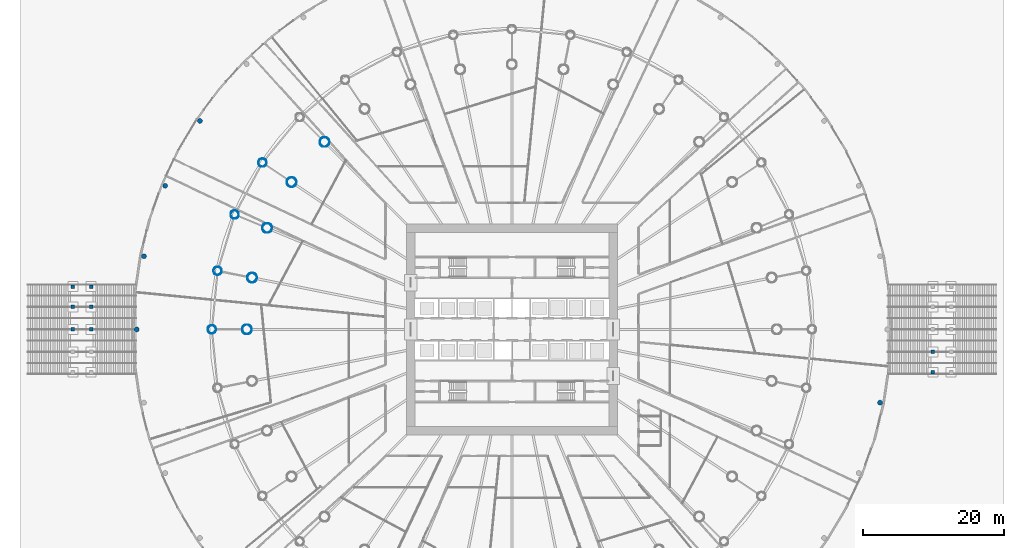
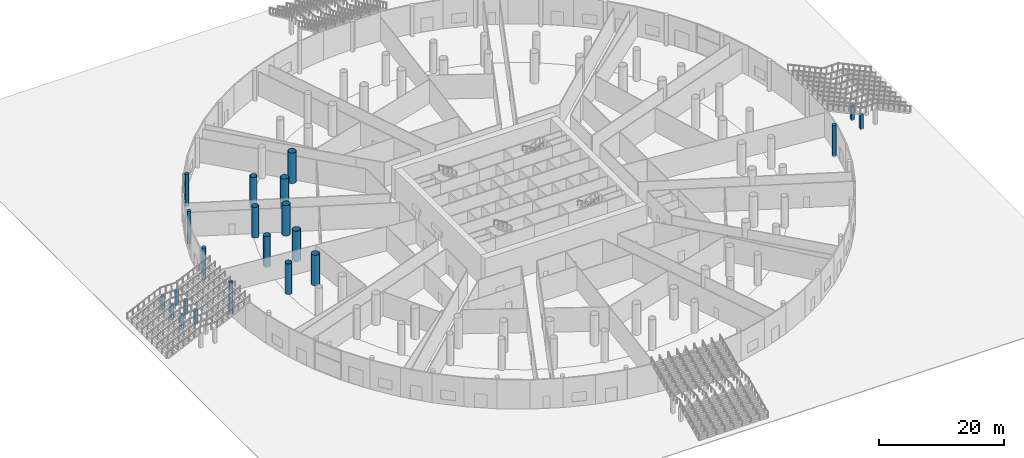
# One storey, part 3 of 33: 22 columns.
"""IFC4 building model written with IfcOpenShell, lengths in metres."""

from ifc_helpers import new_model, si_unit, direction, frame, origin, origin_2d, place, context, subcontext, project, spatial, rectangle, circle, hollow_circle, extrude, material, material_profile, profile_set, type_object, element, save


model = new_model("IFC4")

# Units and contexts
model_context = context("Model", 3, precision=1e-05, world=origin(), true_north=direction((0.0, 1.0)))
body_context = subcontext(model_context, "Body", "Model", "MODEL_VIEW")
ifc_project = project(units=[si_unit("LENGTHUNIT", "METRE"), si_unit("AREAUNIT", "SQUARE_METRE"), si_unit("VOLUMEUNIT", "CUBIC_METRE"), si_unit("PLANEANGLEUNIT", "RADIAN"), si_unit("MASSUNIT", "GRAM", prefix="KILO")], contexts=[model_context])

# Site, building, storey
site_placement = place(None, origin())
site = spatial("IfcSite", under=ifc_project, at=site_placement, CompositionType="ELEMENT")
building_placement = place(site_placement, origin())
building = spatial("IfcBuilding", under=site, at=building_placement, Name="Corvane Civic Tower", CompositionType="ELEMENT")
storey_placement = place(building_placement, origin())
storey = spatial("IfcBuildingStorey", under=building, at=storey_placement, Name="G", CompositionType="ELEMENT", Elevation=0.0)

# Columns
ifc_material_1 = material(Name="Steel ASTM A572 Gr 50", Category="steel")
ifc_material_profile_1 = material_profile(ifc_material_1, hollow_circle(Radius=0.60009765625, WallThickness=0.035888671875, at=origin_2d()), Name="CHS1200X36")
ifc_profile_set_1 = profile_set([ifc_material_profile_1], Name="Steel ASTM A572 Gr 50")
column_type_1 = type_object("IfcColumnType", Name="COMPOSITE COLUMN CHS1200X36", PredefinedType="COLUMN", material=ifc_profile_set_1)
for number, where, z_axis, x_axis, name in (
    (1, (-42.699951171875, 0.0, 0.0), (0.0, 0.0, 1.0), (1.0, 0.0, 0.0), "COL-G-G25"),
    (2, (-41.879638671875, 8.330322265625, 0.0), (0.0, 0.0, 1.0), (1.0, 0.0, 0.0), "COL-G-G26"),
    (3, (-39.44970703125, 16.340576171875, 0.0), (0.0, 0.0, 1.0), (1.0, 0.0, 0.0), "COL-G-G27"),
    (4, (-35.503662109375, 23.722900390625, 0.0), (0.0, 0.0, 1.0), (1.0, 0.0, 0.0), "COL-G-G28"),
):
    element("IfcColumn", number, at=place(storey_placement, frame(where, z_axis=z_axis, x_axis=x_axis)), inside=storey, type_object=column_type_1, Name=name, PredefinedType="COLUMN", context=body_context, shape_type="SweptSolid", body=[
        extrude(hollow_circle(Radius=0.60009765625, WallThickness=0.035888671875, at=origin_2d()), origin(), (0.0, 0.0, 1.0), 6.0),
    ])
ifc_material_2 = material(Name="Steel ASTM A572 Gr 50", Category="steel")
ifc_material_profile_2 = material_profile(ifc_material_2, hollow_circle(Radius=0.699951171875, WallThickness=0.0400390625, at=origin_2d()), Name="CHS1400X40")
ifc_profile_set_2 = profile_set([ifc_material_profile_2], Name="Steel ASTM A572 Gr 50")
column_type_2 = type_object("IfcColumnType", Name="COMPOSITE COLUMN CHS1400X40", PredefinedType="COLUMN", material=ifc_profile_set_2)
for number, where, z_axis, x_axis, name in (
    (5, (-37.699951171875, 0.0, 0.0), (0.0, 0.0, 1.0), (1.0, 0.0, 0.0), "COL-G-A25"),
    (6, (-36.9755859375, 7.35498046875, 0.0), (0.0, 0.0, 1.0), (1.0, 0.0, 0.0), "COL-G-A26"),
    (7, (-34.830322265625, 14.42724609375, 0.0), (0.0, 0.0, 1.0), (1.0, 0.0, 0.0), "COL-G-A27"),
    (8, (-31.346435546875, 20.945068359375, 0.0), (0.0, 0.0, 1.0), (1.0, 0.0, 0.0), "COL-G-A28"),
    (9, (-26.657958984375, 26.657958984375, 0.0), (0.0, 0.0, 1.0), (1.0, 0.0, 0.0), "COL-G-A29"),
):
    element("IfcColumn", number, at=place(storey_placement, frame(where, z_axis=z_axis, x_axis=x_axis)), inside=storey, type_object=column_type_2, Name=name, PredefinedType="COLUMN", context=body_context, shape_type="SweptSolid", body=[
        extrude(hollow_circle(Radius=0.699951171875, WallThickness=0.0400390625, at=origin_2d()), origin(), (0.0, 0.0, 1.0), 6.0),
    ])
ifc_material_3 = material(Name="Concrete C40/50", Category="concrete")
ifc_material_profile_3 = material_profile(ifc_material_3, rectangle(XDim=0.5, YDim=0.5, at=origin_2d()), Name="RC 500x500")
ifc_profile_set_3 = profile_set([ifc_material_profile_3], Name="Concrete C40/50")
column_type_3 = type_object("IfcColumnType", Name="PODIUM-C-STAIRPIER-500", PredefinedType="COLUMN", material=ifc_profile_set_3)
for number, where, z_axis, x_axis, name in (
    (10, (59.8798828125, -6.10009765625, -0.14990234375), (0.0, 0.0, 1.0), (1.0, 0.0, 0.0), "East stair landing pier 1"),
    (11, (59.8798828125, -3.199951171875, -0.14990234375), (0.0, 0.0, 1.0), (1.0, 0.0, 0.0), "East stair landing pier 2"),
    (12, (-59.8798828125, 6.10009765625, -0.14990234375), (0.0, 0.0, 1.0), (-1.0, 0.0, 0.0), "West stair landing pier 1"),
    (13, (-59.8798828125, 3.199951171875, -0.14990234375), (0.0, 0.0, 1.0), (-1.0, 0.0, 0.0), "West stair landing pier 2"),
    (14, (-59.8798828125, 0.0, -0.14990234375), (0.0, 0.0, 1.0), (-1.0, 0.0, 0.0), "West stair landing pier 3"),
    (15, (-62.47998046875, 6.10009765625, -0.14990234375), (0.0, 0.0, 1.0), (-1.0, 0.0, 0.0), "West stair landing pier 6"),
    (16, (-62.47998046875, 3.199951171875, -0.14990234375), (0.0, 0.0, 1.0), (-1.0, 0.0, 0.0), "West stair landing pier 7"),
    (17, (-62.47998046875, 0.0, -0.14990234375), (0.0, 0.0, 1.0), (-1.0, 0.0, 0.0), "West stair landing pier 8"),
):
    element("IfcColumn", number, at=place(storey_placement, frame(where, z_axis=z_axis, x_axis=x_axis)), inside=storey, type_object=column_type_3, Name=name, PredefinedType="COLUMN", context=body_context, shape_type="SweptSolid", body=[
        extrude(rectangle(XDim=0.5, YDim=0.5, at=origin_2d()), origin(), (0.0, 0.0, 1.0), 2.89990234375),
    ])
ifc_material_4 = material(Name="Concrete C50/60", Category="concrete")
ifc_material_profile_4 = material_profile(ifc_material_4, circle(Radius=0.35009765625, at=origin_2d()), Name="COLUMN 700")
ifc_profile_set_4 = profile_set([ifc_material_profile_4], Name="Concrete C50/60")
column_type_4 = type_object("IfcColumnType", Name="RC COLUMN COLUMN 700", PredefinedType="COLUMN", material=ifc_profile_set_4)
for number, where, z_axis, x_axis, name in (
    (18, (52.3740234375, -10.417724609375, -0.300048828125), (0.0, 0.0, 1.0), (1.0, 0.0, 0.0), "COL-G-H10"),
    (19, (-53.39990234375, 0.0, -0.300048828125), (0.0, 0.0, 1.0), (1.0, 0.0, 0.0), "COL-G-H25"),
    (20, (-52.3740234375, 10.417724609375, -0.300048828125), (0.0, 0.0, 1.0), (1.0, 0.0, 0.0), "COL-G-H26"),
    (21, (-49.335205078125, 20.435302734375, -0.300048828125), (0.0, 0.0, 1.0), (1.0, 0.0, 0.0), "COL-G-H27"),
    (22, (-44.400390625, 29.66748046875, -0.300048828125), (0.0, 0.0, 1.0), (1.0, 0.0, 0.0), "COL-G-H28"),
):
    element("IfcColumn", number, at=place(storey_placement, frame(where, z_axis=z_axis, x_axis=x_axis)), inside=storey, type_object=column_type_4, Name=name, PredefinedType="COLUMN", context=body_context, shape_type="SweptSolid", body=[
        extrude(circle(Radius=0.35009765625, at=origin_2d()), origin(), (0.0, 0.0, 1.0), 6.300048828125),
    ])

save(model, "model.ifc")
